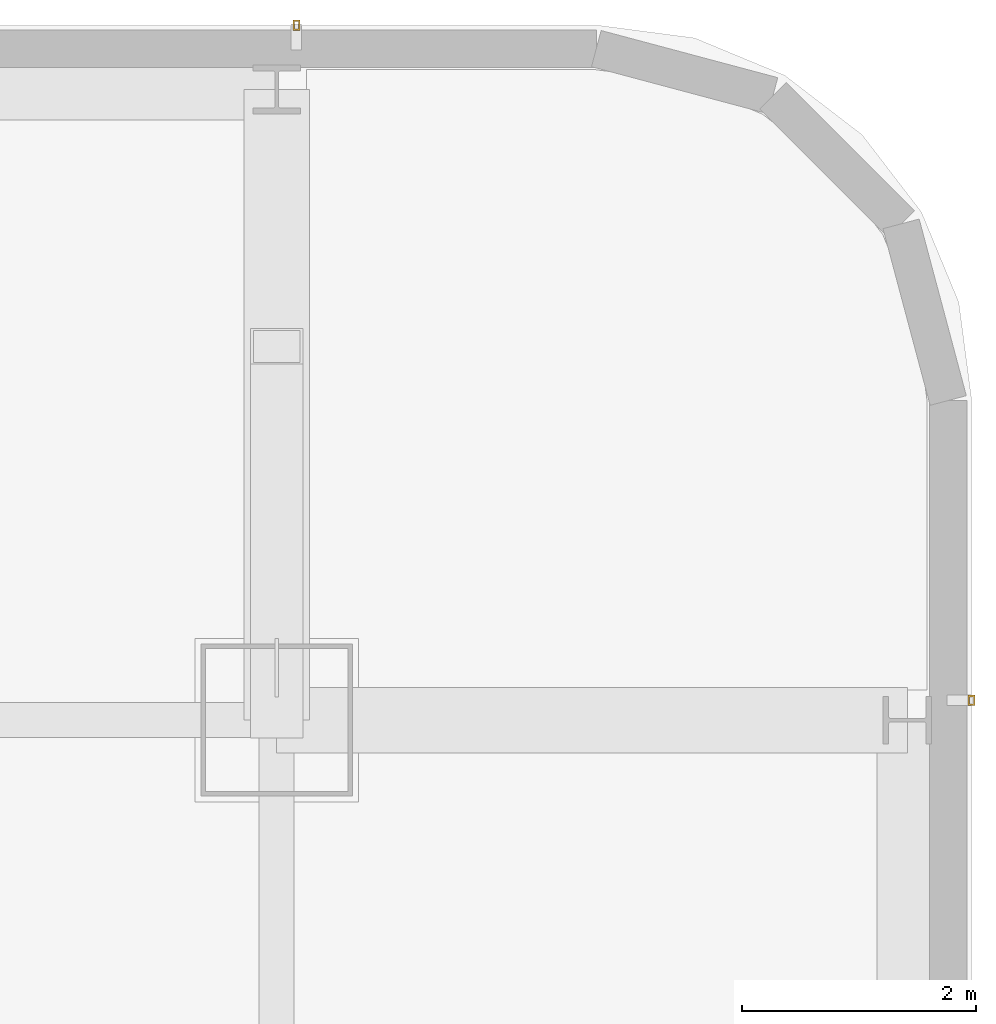
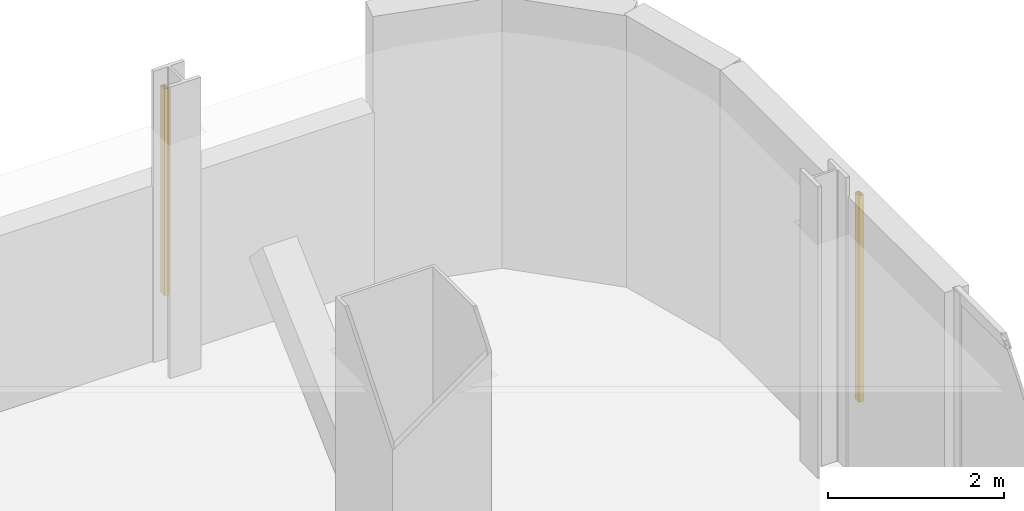
# One storey, part 51 of 51: 2 shading devices.
"""IFC4 building model written with IfcOpenShell, lengths in metres."""

from ifc_helpers import new_model, si_unit, direction, frame, origin, origin_2d, place, context, subcontext, project, spatial, hollow_rectangle, extrude, material, material_profile, profile_set, type_object, element, save


model = new_model("IFC4")

# Units and contexts
model_context = context("Model", 3, precision=1e-05, world=origin(), true_north=direction((0.0, 1.0)))
body_context = subcontext(model_context, "Body", "Model", "MODEL_VIEW")
ifc_project = project(units=[si_unit("LENGTHUNIT", "METRE"), si_unit("AREAUNIT", "SQUARE_METRE"), si_unit("VOLUMEUNIT", "CUBIC_METRE"), si_unit("PLANEANGLEUNIT", "RADIAN"), si_unit("MASSUNIT", "GRAM", prefix="KILO")], contexts=[model_context])

# Site, building, storey
site_placement = place(None, origin())
site = spatial("IfcSite", under=ifc_project, at=site_placement, CompositionType="ELEMENT")
building_placement = place(site_placement, origin())
building = spatial("IfcBuilding", under=site, at=building_placement, Name="Punatoya Terracotta Tower", CompositionType="ELEMENT")
storey_placement = place(building_placement, frame((0.0, 0.0, 279.75)))
storey = spatial("IfcBuildingStorey", under=building, at=storey_placement, Name="L66", CompositionType="ELEMENT", Elevation=279.75)

# Shading devices
ifc_material = material(Name="Architectural Fired Terracotta", Category="masonry")
ifc_material_profile = material_profile(ifc_material, hollow_rectangle(XDim=0.06005859375, YDim=0.090087890625, WallThickness=0.013916015625, at=origin_2d()))
ifc_profile_set = profile_set([ifc_material_profile], Name="Architectural Fired Terracotta")
shading_device_type = type_object("IfcShadingDeviceType", Name="SHD-JALI-90", PredefinedType="JALOUSIE", material=ifc_profile_set)
for number, where, z_axis, x_axis, name in (
    (1, (25.050048828125, 17.66845703125, 0.60009765625), (0.0, 0.0, 1.0), (1.0, 0.0, 0.0), "L66 Braced Bay Terracotta Jali Fin E2"),
    (2, (19.2685546875, 23.449951171875, 0.60009765625), (0.0, 0.0, 1.0), (1.0, 0.0, 0.0), "L66 Braced Bay Terracotta Jali Fin N1"),
):
    element("IfcShadingDevice", number, at=place(storey_placement, frame(where, z_axis=z_axis, x_axis=x_axis)), inside=storey, type_object=shading_device_type, Name=name, PredefinedType="JALOUSIE", context=body_context, shape_type="SweptSolid", body=[
        extrude(hollow_rectangle(XDim=0.06005859375, YDim=0.090087890625, WallThickness=0.013916015625, at=origin_2d()), origin(), (0.0, 0.0, 1.0), 2.869873046875),
    ])

save(model, "model.ifc")
